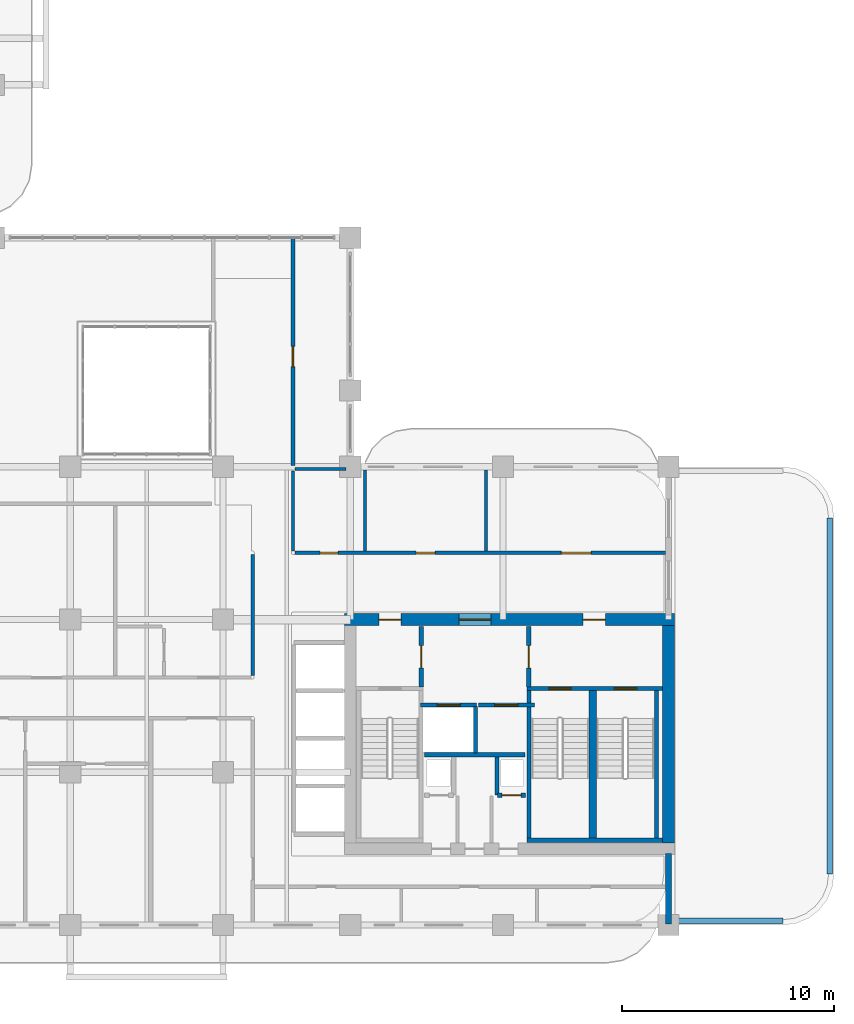
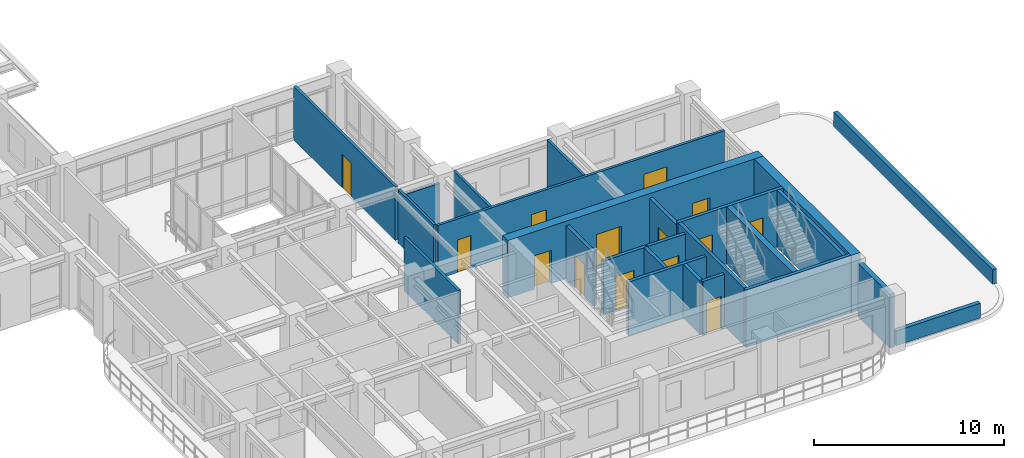
# One storey, part 13 of 20: 25 walls, 14 doors, 14 openings.
"""IFC4 building model written with IfcOpenShell, lengths in metres."""

from ifc_helpers import new_model, si_unit, derived_unit, direction, frame, frame_2d, origin, place, context, subcontext, project, spatial, rectangle, extrude, source, transform, mapped, material, layer, layer_set, type_object, type_shapes, element, fill, save


model = new_model("IFC4")

# Units and contexts
model_context = context("Model", 3, precision=1e-05, world=origin(), true_north=direction((0.0, 1.0)))
body_context = subcontext(model_context, "Body", "Model", "MODEL_VIEW")
ifc_project = project(units=[si_unit("LENGTHUNIT", "METRE"), si_unit("AREAUNIT", "SQUARE_METRE"), si_unit("VOLUMEUNIT", "CUBIC_METRE"), si_unit("PLANEANGLEUNIT", "RADIAN"), si_unit("MASSUNIT", "GRAM", prefix="KILO"), si_unit("THERMODYNAMICTEMPERATUREUNIT", "KELVIN"), si_unit("POWERUNIT", "WATT"), derived_unit("THERMALTRANSMITTANCEUNIT", [(si_unit("POWERUNIT", "WATT"), 1), (si_unit("AREAUNIT", "SQUARE_METRE"), -1), (si_unit("THERMODYNAMICTEMPERATUREUNIT", "KELVIN"), -1)])], contexts=[model_context])

# Site, building, storey
site_placement = place(None, origin())
site = spatial("IfcSite", under=ifc_project, at=site_placement, CompositionType="ELEMENT")
building_placement = place(site_placement, origin())
building = spatial("IfcBuilding", under=site, at=building_placement, Name="Zahravan Archway Hotel and Residences", CompositionType="ELEMENT")
storey_placement = place(building_placement, frame((0.0, 0.0, 111.800048828125)))
storey = spatial("IfcBuildingStorey", under=building, at=storey_placement, Name="L27", CompositionType="ELEMENT", Elevation=111.800048828125)

# Wall, openings, doors
ifc_material_1 = material(Name="Concrete C70/85", Category="concrete")
ifc_layer_1 = layer(ifc_material_1, 0.550048828125, Name="Concrete C70/85", Category="concrete")
ifc_layer_set_1 = layer_set([ifc_layer_1], Name="Concrete C70/85")
wall_type_1 = type_object("IfcWallType", Name="CW-CORE-550", PredefinedType="SHEAR", material=ifc_layer_set_1)
wall_1_placement = place(storey_placement, frame((34.52490234375, 14.39990234375, 0.0), z_axis=(0.0, 0.0, 1.0), x_axis=(1.0, 0.0, 0.0)))
wall_1 = element("IfcWall", 1, at=wall_1_placement, inside=storey, type_object=wall_type_1, Name="L27 Core A Shear N Wall 550 mm", PredefinedType="SHEAR", context=body_context, shape_type="SweptSolid", body=[
    extrude(rectangle(XDim=15.550048828125, YDim=0.550048828125, at=frame_2d((7.77490234375, 0.0))), origin(), (0.0, 0.0, 1.0), 3.699951171875),
])
opening_1_placement = place(wall_1_placement, frame((5.405029296875, 0.0, 0.0)))
opening_1 = element("IfcOpeningElement", 2, at=opening_1_placement, cuts=wall_1, Name="Opening FD-L1", PredefinedType="OPENING", context=body_context, shape_type="SweptSolid", body=[
    extrude(rectangle(XDim=1.5, YDim=2.199951171875, at=frame_2d((0.75, 1.10009765625))), frame((0.0, 0.28515625, 0.0), z_axis=(0.0, -1.0, 0.0), x_axis=(1.0, 0.0, 0.0)), (0.0, 0.0, 1.0), 0.570068359375),
])
opening_2_placement = place(wall_1_placement, frame((1.6201171875, 0.0, 0.0)))
opening_2 = element("IfcOpeningElement", 3, at=opening_2_placement, cuts=wall_1, Name="Opening FD-L2", PredefinedType="OPENING", context=body_context, shape_type="SweptSolid", body=[
    extrude(rectangle(XDim=1.050048828125, YDim=2.14990234375, at=frame_2d((0.52490234375, 1.074951171875))), frame((0.0, 0.28515625, 0.0), z_axis=(0.0, -1.0, 0.0), x_axis=(1.0, 0.0, 0.0)), (0.0, 0.0, 1.0), 0.570068359375),
])
opening_3_placement = place(wall_1_placement, frame((11.25, 0.0, 0.0)))
opening_3 = element("IfcOpeningElement", 4, at=opening_3_placement, cuts=wall_1, Name="Opening FD-L2", PredefinedType="OPENING", context=body_context, shape_type="SweptSolid", body=[
    extrude(rectangle(XDim=1.050048828125, YDim=2.14990234375, at=frame_2d((0.52490234375, 1.074951171875))), frame((0.0, 0.28515625, 0.0), z_axis=(0.0, -1.0, 0.0), x_axis=(1.0, 0.0, 0.0)), (0.0, 0.0, 1.0), 0.570068359375),
])
ifc_material_2 = material(Name="Fire-Rated Painted Steel", Category="steel")
door_type_1 = type_object("IfcDoorType", Name="FD-LOBBY-1100", OperationType="NOTDEFINED", PredefinedType="DOOR", material=ifc_material_2)
shared_shape_1 = source(origin(), body_context, "Body", "SweptSolid", [
    extrude(rectangle(XDim=1.050048828125, YDim=2.14990234375, at=frame_2d((0.52490234375, 1.074951171875))), frame((0.0, 0.02490234375, 0.0), z_axis=(0.0, -1.0, 0.0), x_axis=(1.0, 0.0, 0.0)), (0.0, 0.0, 1.0), 0.050048828125),
])
type_shapes(door_type_1, [shared_shape_1])
door_1_placement = place(opening_2_placement, origin())
door_1 = element("IfcDoor", 5, at=door_1_placement, inside=storey, type_object=door_type_1, Name="L27 Core A West Stair Lobby Door", OperationType="SINGLE_SWING_LEFT", OverallHeight=2.14990234375, OverallWidth=1.050048828125, PredefinedType="DOOR", context=body_context, shape_type="MappedRepresentation", body=[
    mapped(shared_shape_1, transform((0.0, 0.0, 0.0), scale=1.0)),
])
fill(opening_2, door_1)
door_2_placement = place(opening_3_placement, origin())
door_2 = element("IfcDoor", 6, at=door_2_placement, inside=storey, type_object=door_type_1, Name="L27 Core A East Stair Lobby Door", OperationType="SINGLE_SWING_RIGHT", OverallHeight=2.14990234375, OverallWidth=1.050048828125, PredefinedType="DOOR", context=body_context, shape_type="MappedRepresentation", body=[
    mapped(shared_shape_1, transform((0.0, 0.0, 0.0), scale=1.0)),
])
fill(opening_3, door_2)
door_type_2 = type_object("IfcDoorType", Name="FD-LOBBY-1500", OperationType="DOUBLE_DOOR_SINGLE_SWING", PredefinedType="DOOR", material=ifc_material_2)
shared_shape_2 = source(origin(), body_context, "Body", "SweptSolid", [
    extrude(rectangle(XDim=1.5, YDim=2.199951171875, at=frame_2d((0.75, 1.10009765625))), frame((0.0, 0.02490234375, 0.0), z_axis=(0.0, -1.0, 0.0), x_axis=(1.0, 0.0, 0.0)), (0.0, 0.0, 1.0), 0.050048828125),
])
type_shapes(door_type_2, [shared_shape_2])
door_3_placement = place(opening_1_placement, origin())
door_3 = element("IfcDoor", 7, at=door_3_placement, inside=storey, type_object=door_type_2, Name="L27 Core A FSAE Lobby Main Door", OperationType="DOUBLE_DOOR_SINGLE_SWING", OverallHeight=2.199951171875, OverallWidth=1.5, PredefinedType="DOOR", context=body_context, shape_type="MappedRepresentation", body=[
    mapped(shared_shape_2, transform((0.0, 0.0, 0.0), scale=1.0)),
])
fill(opening_1, door_3)

# Walls
wall_2_placement = place(storey_placement, frame((49.800048828125, 3.875, 0.0), z_axis=(0.0, 0.0, 1.0), x_axis=(0.0, 1.0, 0.0)))
element("IfcWall", 8, at=wall_2_placement, inside=storey, type_object=wall_type_1, Name="L27 Core A Shear E Wall 550 mm", PredefinedType="SHEAR", context=body_context, shape_type="SweptSolid", body=[
    extrude(rectangle(XDim=10.25, YDim=0.550048828125, at=frame_2d((5.125, 0.0))), origin(), (0.0, 0.0, 1.0), 3.699951171875),
])
ifc_material_3 = material(Name="Honed Red-Ochre Sandstone & Insulated Block", Category="masonry")
ifc_layer_2 = layer(ifc_material_3, 0.280029296875, Name="Honed Red-Ochre Sandstone & Insulated Block", Category="masonry")
ifc_layer_set_2 = layer_set([ifc_layer_2], Name="Honed Red-Ochre Sandstone & Insulated Block")
wall_type_2 = type_object("IfcWallType", Name="EW-LOG-280", PredefinedType="SOLIDWALL", material=ifc_layer_set_2)
wall_3_placement = place(storey_placement, frame((49.800048828125, 0.050048828125, 0.0), z_axis=(0.0, 0.0, 1.0), x_axis=(0.0, 1.0, 0.0)))
element("IfcWall", 9, at=wall_3_placement, inside=storey, type_object=wall_type_2, Name="L27 Exterior Sandstone Wall WA-ES", PredefinedType="SOLIDWALL", context=body_context, shape_type="SweptSolid", body=[
    extrude(rectangle(XDim=3.329833984375, YDim=0.280029296875, at=frame_2d((1.6650390625, 0.0))), origin(), (0.0, 0.0, 1.0), 3.449951171875),
])
ifc_material_4 = material(Name="Agra Buff Sandstone Coping Wall", Category="masonry")
ifc_layer_3 = layer(ifc_material_4, 0.25, Name="Agra Buff Sandstone Coping Wall", Category="masonry")
ifc_layer_set_3 = layer_set([ifc_layer_3], Name="Agra Buff Sandstone Coping Wall")
wall_type_3 = type_object("IfcWallType", Name="EW-PARA-250", PredefinedType="PARAPET", material=ifc_layer_set_3)
wall_4_placement = place(storey_placement, frame((57.39990234375, 19.18701171875, 0.0), z_axis=(0.0, 0.0, 1.0), x_axis=(0.0, -1.0, 0.0)))
element("IfcWall", 10, at=wall_4_placement, inside=storey, type_object=wall_type_3, Name="L27 Roof Coping Parapet 1", PredefinedType="PARAPET", context=body_context, shape_type="SweptSolid", body=[
    extrude(rectangle(XDim=16.77392578125, YDim=0.25, at=frame_2d((8.386962890625, 0.0))), origin(), (0.0, 0.0, 1.0), 0.949951171875),
])
wall_5_placement = place(storey_placement, frame((55.18701171875, 0.199951171875, 0.0), z_axis=(0.0, 0.0, 1.0), x_axis=(-1.0, 0.0, 0.0)))
element("IfcWall", 11, at=wall_5_placement, inside=storey, type_object=wall_type_3, Name="L27 Roof Coping Parapet 2", PredefinedType="PARAPET", context=body_context, shape_type="SweptSolid", body=[
    extrude(rectangle(XDim=5.126953125, YDim=0.25, at=frame_2d((2.5634765625, 0.0))), origin(), (0.0, 0.0, 1.0), 0.949951171875),
])

# Wall, opening, door
ifc_material_5 = material(Name="Fire-Rated Gypsum & Concrete Block", Category="concrete")
ifc_layer_4 = layer(ifc_material_5, 0.219970703125, Name="Fire-Rated Gypsum & Concrete Block", Category="concrete")
ifc_layer_set_4 = layer_set([ifc_layer_4], Name="Fire-Rated Gypsum & Concrete Block")
wall_type_4 = type_object("IfcWallType", Name="PW-COMP-220", PredefinedType="PARTITIONING", material=ifc_layer_set_4)
wall_6_placement = place(storey_placement, frame((38.139892578125, 11.219970703125, 0.0), z_axis=(0.0, 0.0, 1.0), x_axis=(0.0, 1.0, 0.0)))
wall_6 = element("IfcWall", 12, at=wall_6_placement, inside=storey, type_object=wall_type_4, Name="L27 Partition CA-LOBW", PredefinedType="PARTITIONING", context=body_context, shape_type="SweptSolid", body=[
    extrude(rectangle(XDim=2.860107421875, YDim=0.219970703125, at=frame_2d((1.43017578125, 0.0))), origin(), (0.0, 0.0, 1.0), 3.449951171875),
])
opening_4_placement = place(wall_6_placement, frame((0.905029296875, 0.0, 0.0)))
opening_4 = element("IfcOpeningElement", 13, at=opening_4_placement, cuts=wall_6, Name="Opening FD-L2", PredefinedType="OPENING", context=body_context, shape_type="SweptSolid", body=[
    extrude(rectangle(XDim=1.050048828125, YDim=2.14990234375, at=frame_2d((0.52490234375, 1.074951171875))), frame((0.0, 0.1201171875, 0.0), z_axis=(0.0, -1.0, 0.0), x_axis=(1.0, 0.0, 0.0)), (0.0, 0.0, 1.0), 0.239990234375),
])
door_4_placement = place(opening_4_placement, origin())
door_4 = element("IfcDoor", 14, at=door_4_placement, inside=storey, type_object=door_type_1, Name="L27 Core A West Stair to FSAE Lobby Door", OperationType="SINGLE_SWING_LEFT", OverallHeight=2.14990234375, OverallWidth=1.050048828125, PredefinedType="DOOR", context=body_context, shape_type="MappedRepresentation", body=[
    mapped(shared_shape_1, transform((0.0, 0.0, 0.0), scale=1.0)),
])
fill(opening_4, door_4)

wall_7_placement = place(storey_placement, frame((43.219970703125, 11.219970703125, 0.0), z_axis=(0.0, 0.0, 1.0), x_axis=(0.0, 1.0, 0.0)))
wall_7 = element("IfcWall", 15, at=wall_7_placement, inside=storey, type_object=wall_type_4, Name="L27 Partition CA-LOBE", PredefinedType="PARTITIONING", context=body_context, shape_type="SweptSolid", body=[
    extrude(rectangle(XDim=2.860107421875, YDim=0.219970703125, at=frame_2d((1.43017578125, 0.0))), origin(), (0.0, 0.0, 1.0), 3.449951171875),
])
opening_5_placement = place(wall_7_placement, frame((0.905029296875, 0.0, 0.0)))
opening_5 = element("IfcOpeningElement", 16, at=opening_5_placement, cuts=wall_7, Name="Opening FD-L2", PredefinedType="OPENING", context=body_context, shape_type="SweptSolid", body=[
    extrude(rectangle(XDim=1.050048828125, YDim=2.14990234375, at=frame_2d((0.52490234375, 1.074951171875))), frame((0.0, 0.1201171875, 0.0), z_axis=(0.0, -1.0, 0.0), x_axis=(1.0, 0.0, 0.0)), (0.0, 0.0, 1.0), 0.239990234375),
])
door_5_placement = place(opening_5_placement, origin())
door_5 = element("IfcDoor", 17, at=door_5_placement, inside=storey, type_object=door_type_1, Name="L27 Core A East Stair to FSAE Lobby Door", OperationType="SINGLE_SWING_RIGHT", OverallHeight=2.14990234375, OverallWidth=1.050048828125, PredefinedType="DOOR", context=body_context, shape_type="MappedRepresentation", body=[
    mapped(shared_shape_1, transform((0.0, 0.0, 0.0), scale=1.0)),
])
fill(opening_5, door_5)

# Wall
ifc_layer_5 = layer(ifc_material_5, 0.159912109375, Name="Fire-Rated Gypsum & Concrete Block", Category="concrete")
ifc_layer_set_5 = layer_set([ifc_layer_5], Name="Fire-Rated Gypsum & Concrete Block")
wall_type_5 = type_object("IfcWallType", Name="PW-CORR-160", PredefinedType="PARTITIONING", material=ifc_layer_set_5)
wall_8_placement = place(storey_placement, frame((30.199951171875, 11.760009765625, 0.0), z_axis=(0.0, 0.0, 1.0), x_axis=(0.0, 1.0, 0.0)))
element("IfcWall", 18, at=wall_8_placement, inside=storey, type_object=wall_type_5, Name="L27 Partition WA-FW", PredefinedType="PARTITIONING", context=body_context, shape_type="SweptSolid", body=[
    extrude(rectangle(XDim=5.699951171875, YDim=0.159912109375, at=frame_2d((2.85009765625, 0.0))), origin(), (0.0, 0.0, 1.0), 3.449951171875),
])

# Wall, openings, doors
wall_9_placement = place(storey_placement, frame((32.18994140625, 17.550048828125, 0.0), z_axis=(0.0, 0.0, 1.0), x_axis=(1.0, 0.0, 0.0)))
wall_9 = element("IfcWall", 19, at=wall_9_placement, inside=storey, type_object=wall_type_5, Name="L27 Partition WA-FN", PredefinedType="PARTITIONING", context=body_context, shape_type="SweptSolid", body=[
    extrude(rectangle(XDim=17.469970703125, YDim=0.159912109375, at=frame_2d((8.73486328125, 0.0))), origin(), (0.0, 0.0, 1.0), 3.449951171875),
])
opening_6_placement = place(wall_9_placement, frame((1.18505859375, 0.0, 0.0)))
opening_6 = element("IfcOpeningElement", 20, at=opening_6_placement, cuts=wall_9, Name="Opening D-B1", PredefinedType="OPENING", context=body_context, shape_type="SweptSolid", body=[
    extrude(rectangle(XDim=0.85009765625, YDim=2.10009765625, at=frame_2d((0.425048828125, 1.050048828125))), frame((0.0, 0.08984375, 0.0), z_axis=(0.0, -1.0, 0.0), x_axis=(1.0, 0.0, 0.0)), (0.0, 0.0, 1.0), 0.179931640625),
])
opening_7_placement = place(wall_9_placement, frame((5.7099609375, 0.0, 0.0)))
opening_7 = element("IfcOpeningElement", 21, at=opening_7_placement, cuts=wall_9, Name="Opening D-I2", PredefinedType="OPENING", context=body_context, shape_type="SweptSolid", body=[
    extrude(rectangle(XDim=0.89990234375, YDim=2.14990234375, at=frame_2d((0.449951171875, 1.074951171875))), frame((0.0, 0.08984375, 0.0), z_axis=(0.0, -1.0, 0.0), x_axis=(1.0, 0.0, 0.0)), (0.0, 0.0, 1.0), 0.179931640625),
])
opening_8_placement = place(wall_9_placement, frame((12.56005859375, 0.0, 0.0)))
opening_8 = element("IfcOpeningElement", 22, at=opening_8_placement, cuts=wall_9, Name="Opening D-P1", PredefinedType="OPENING", context=body_context, shape_type="SweptSolid", body=[
    extrude(rectangle(XDim=1.39990234375, YDim=2.35009765625, at=frame_2d((0.699951171875, 1.175048828125))), frame((0.0, 0.08984375, 0.0), z_axis=(0.0, -1.0, 0.0), x_axis=(1.0, 0.0, 0.0)), (0.0, 0.0, 1.0), 0.179931640625),
])
ifc_material_6 = material(Name="Hardwood Veneer Timber", Category="wood")
door_type_3 = type_object("IfcDoorType", Name="ID-BATH-850", OperationType="NOTDEFINED", PredefinedType="DOOR", material=ifc_material_6)
shared_shape_3 = source(origin(), body_context, "Body", "SweptSolid", [
    extrude(rectangle(XDim=0.85009765625, YDim=2.10009765625, at=frame_2d((0.425048828125, 1.050048828125))), frame((0.0, 0.02490234375, 0.0), z_axis=(0.0, -1.0, 0.0), x_axis=(1.0, 0.0, 0.0)), (0.0, 0.0, 1.0), 0.050048828125),
])
type_shapes(door_type_3, [shared_shape_3])
door_6_placement = place(opening_6_placement, origin())
door_6 = element("IfcDoor", 23, at=door_6_placement, inside=storey, type_object=door_type_3, Name="L27 Accessible Floor Restroom Door", OperationType="SINGLE_SWING_LEFT", OverallHeight=2.10009765625, OverallWidth=0.85009765625, PredefinedType="DOOR", context=body_context, shape_type="MappedRepresentation", body=[
    mapped(shared_shape_3, transform((0.0, 0.0, 0.0), scale=1.0)),
])
fill(opening_6, door_6)
ifc_material_7 = material(Name="Bronze-Anodized Glazed Aluminium", Category="aluminium")
door_type_4 = type_object("IfcDoorType", Name="ID-PUBLIC-1400", OperationType="DOUBLE_DOOR_SINGLE_SWING", PredefinedType="DOOR", material=ifc_material_7)
shared_shape_4 = source(origin(), body_context, "Body", "SweptSolid", [
    extrude(rectangle(XDim=1.39990234375, YDim=2.35009765625, at=frame_2d((0.699951171875, 1.175048828125))), frame((0.0, 0.02490234375, 0.0), z_axis=(0.0, -1.0, 0.0), x_axis=(1.0, 0.0, 0.0)), (0.0, 0.0, 1.0), 0.050048828125),
])
type_shapes(door_type_4, [shared_shape_4])
door_7_placement = place(opening_8_placement, origin())
door_7 = element("IfcDoor", 24, at=door_7_placement, inside=storey, type_object=door_type_4, Name="L27 Co-Working Room Door", OperationType="DOUBLE_DOOR_SINGLE_SWING", OverallHeight=2.35009765625, OverallWidth=1.39990234375, PredefinedType="DOOR", context=body_context, shape_type="MappedRepresentation", body=[
    mapped(shared_shape_4, transform((0.0, 0.0, 0.0), scale=1.0)),
])
fill(opening_8, door_7)
door_type_5 = type_object("IfcDoorType", Name="ID-INT-900", OperationType="NOTDEFINED", PredefinedType="DOOR", material=ifc_material_6)
shared_shape_5 = source(origin(), body_context, "Body", "SweptSolid", [
    extrude(rectangle(XDim=0.89990234375, YDim=2.14990234375, at=frame_2d((0.449951171875, 1.074951171875))), frame((0.0, 0.02490234375, 0.0), z_axis=(0.0, -1.0, 0.0), x_axis=(1.0, 0.0, 0.0)), (0.0, 0.0, 1.0), 0.050048828125),
])
type_shapes(door_type_5, [shared_shape_5])
door_8_placement = place(opening_7_placement, origin())
door_8 = element("IfcDoor", 25, at=door_8_placement, inside=storey, type_object=door_type_5, Name="L27 Tea Servery Door", OperationType="SINGLE_SWING_RIGHT", OverallHeight=2.14990234375, OverallWidth=0.89990234375, PredefinedType="DOOR", context=body_context, shape_type="MappedRepresentation", body=[
    mapped(shared_shape_5, transform((0.0, 0.0, 0.0), scale=1.0)),
])
fill(opening_7, door_8)

# Walls
ifc_layer_6 = layer(ifc_material_5, 0.199951171875, Name="Fire-Rated Gypsum & Concrete Block", Category="concrete")
ifc_layer_set_6 = layer_set([ifc_layer_6], Name="Fire-Rated Gypsum & Concrete Block")
wall_type_6 = type_object("IfcWallType", Name="PW-SHAFT-200", PredefinedType="PARTITIONING", material=ifc_layer_set_6)
wall_10_placement = place(storey_placement, frame((38.300048828125, 8.030029296875, 0.0), z_axis=(0.0, 0.0, 1.0), x_axis=(1.0, 0.0, 0.0)))
element("IfcWall", 26, at=wall_10_placement, inside=storey, type_object=wall_type_6, Name="L27 Partition CA-FLS", PredefinedType="PARTITIONING", context=body_context, shape_type="SweptSolid", body=[
    extrude(rectangle(XDim=4.739990234375, YDim=0.199951171875, at=frame_2d((2.3701171875, 0.0))), origin(), (0.0, 0.0, 1.0), 3.449951171875),
])
wall_11_placement = place(storey_placement, frame((40.699951171875, 8.1201171875, 0.0), z_axis=(0.0, 0.0, 1.0), x_axis=(0.0, 1.0, 0.0)))
element("IfcWall", 27, at=wall_11_placement, inside=storey, type_object=wall_type_6, Name="L27 Partition CA-FLM", PredefinedType="PARTITIONING", context=body_context, shape_type="SweptSolid", body=[
    extrude(rectangle(XDim=2.179931640625, YDim=0.199951171875, at=frame_2d((1.08984375, 0.0))), origin(), (0.0, 0.0, 1.0), 3.449951171875),
])

# Wall, opening, door
wall_12_placement = place(storey_placement, frame((41.72998046875, 6.1201171875, 0.0), z_axis=(0.0, 0.0, 1.0), x_axis=(1.0, 0.0, 0.0)))
wall_12 = element("IfcWall", 28, at=wall_12_placement, inside=storey, type_object=wall_type_6, Name="L27 Partition CA-MEPS", PredefinedType="PARTITIONING", context=body_context, shape_type="SweptSolid", body=[
    extrude(rectangle(XDim=1.320068359375, YDim=0.199951171875, at=frame_2d((0.66015625, 0.0))), origin(), (0.0, 0.0, 1.0), 3.449951171875),
])
opening_9_placement = place(wall_12_placement, frame((0.219970703125, 0.0, 0.0)))
opening_9 = element("IfcOpeningElement", 29, at=opening_9_placement, cuts=wall_12, Name="Opening FD-R1", PredefinedType="OPENING", context=body_context, shape_type="SweptSolid", body=[
    extrude(rectangle(XDim=0.89990234375, YDim=2.10009765625, at=frame_2d((0.449951171875, 1.050048828125))), frame((0.0, 0.10986328125, 0.0), z_axis=(0.0, -1.0, 0.0), x_axis=(1.0, 0.0, 0.0)), (0.0, 0.0, 1.0), 0.219970703125),
])
door_type_6 = type_object("IfcDoorType", Name="FD-RISER-900", OperationType="NOTDEFINED", PredefinedType="DOOR", material=ifc_material_2)
shared_shape_6 = source(origin(), body_context, "Body", "SweptSolid", [
    extrude(rectangle(XDim=0.89990234375, YDim=2.10009765625, at=frame_2d((0.449951171875, 1.050048828125))), frame((0.0, 0.02490234375, 0.0), z_axis=(0.0, -1.0, 0.0), x_axis=(1.0, 0.0, 0.0)), (0.0, 0.0, 1.0), 0.050048828125),
])
type_shapes(door_type_6, [shared_shape_6])
door_9_placement = place(opening_9_placement, origin())
door_9 = element("IfcDoor", 30, at=door_9_placement, inside=storey, type_object=door_type_6, Name="L27 MEP Riser Access Door", OperationType="SINGLE_SWING_RIGHT", OverallHeight=2.10009765625, OverallWidth=0.89990234375, PredefinedType="DOOR", context=body_context, shape_type="MappedRepresentation", body=[
    mapped(shared_shape_6, transform((0.0, 0.0, 0.0), scale=1.0)),
])
fill(opening_9, door_9)

# Wall
wall_13_placement = place(storey_placement, frame((41.719970703125, 6.1298828125, 0.0), z_axis=(0.0, 0.0, 1.0), x_axis=(0.0, 1.0, 0.0)))
element("IfcWall", 31, at=wall_13_placement, inside=storey, type_object=wall_type_6, Name="L27 Partition CA-MEPW", PredefinedType="PARTITIONING", context=body_context, shape_type="SweptSolid", body=[
    extrude(rectangle(XDim=1.7900390625, YDim=0.199951171875, at=frame_2d((0.89501953125, 0.0))), origin(), (0.0, 0.0, 1.0), 3.449951171875),
])

# Wall, opening, door
wall_14_placement = place(storey_placement, frame((38.1201171875, 10.3701171875, 0.0), z_axis=(0.0, 0.0, 1.0), x_axis=(1.0, 0.0, 0.0)))
wall_14 = element("IfcWall", 32, at=wall_14_placement, inside=storey, type_object=wall_type_6, Name="L27 Lift FL-1 Front Wall", PredefinedType="PARTITIONING", context=body_context, shape_type="SweptSolid", body=[
    extrude(rectangle(XDim=2.639892578125, YDim=0.199951171875, at=frame_2d((1.31982421875, 0.0))), origin(), (0.0, 0.0, 1.0), 3.449951171875),
])
opening_10_placement = place(wall_14_placement, frame((0.77001953125, 0.0, 0.0)))
opening_10 = element("IfcOpeningElement", 33, at=opening_10_placement, cuts=wall_14, Name="Opening LD", PredefinedType="OPENING", context=body_context, shape_type="SweptSolid", body=[
    extrude(rectangle(XDim=1.10009765625, YDim=2.199951171875, at=frame_2d((0.550048828125, 1.10009765625))), frame((0.0, 0.10986328125, 0.0), z_axis=(0.0, -1.0, 0.0), x_axis=(1.0, 0.0, 0.0)), (0.0, 0.0, 1.0), 0.219970703125),
])
ifc_material_8 = material(Name="Brushed Stainless Steel", Category="steel")
door_type_7 = type_object("IfcDoorType", Name="DR-LIFT-LD", OperationType="SLIDING_TO_LEFT", PredefinedType="DOOR", material=ifc_material_8)
shared_shape_7 = source(origin(), body_context, "Body", "SweptSolid", [
    extrude(rectangle(XDim=1.10009765625, YDim=2.199951171875, at=frame_2d((0.550048828125, 1.10009765625))), frame((0.0, 0.02490234375, 0.0), z_axis=(0.0, -1.0, 0.0), x_axis=(1.0, 0.0, 0.0)), (0.0, 0.0, 1.0), 0.050048828125),
])
type_shapes(door_type_7, [shared_shape_7])
door_10_placement = place(opening_10_placement, origin())
door_10 = element("IfcDoor", 34, at=door_10_placement, inside=storey, type_object=door_type_7, Name="L27 Lift FL-1 Sliding Landing Door", OperationType="SLIDING_TO_LEFT", OverallHeight=2.199951171875, OverallWidth=1.10009765625, PredefinedType="DOOR", context=body_context, shape_type="MappedRepresentation", body=[
    mapped(shared_shape_7, transform((0.0, 0.0, 0.0), scale=1.0)),
])
fill(opening_10, door_10)

wall_15_placement = place(storey_placement, frame((40.840087890625, 10.3701171875, 0.0), z_axis=(0.0, 0.0, 1.0), x_axis=(1.0, 0.0, 0.0)))
wall_15 = element("IfcWall", 35, at=wall_15_placement, inside=storey, type_object=wall_type_6, Name="L27 Lift FL-2 Front Wall", PredefinedType="PARTITIONING", context=body_context, shape_type="SweptSolid", body=[
    extrude(rectangle(XDim=2.639892578125, YDim=0.199951171875, at=frame_2d((1.31982421875, 0.0))), origin(), (0.0, 0.0, 1.0), 3.449951171875),
])
opening_11_placement = place(wall_15_placement, frame((0.77001953125, 0.0, 0.0)))
opening_11 = element("IfcOpeningElement", 36, at=opening_11_placement, cuts=wall_15, Name="Opening LD", PredefinedType="OPENING", context=body_context, shape_type="SweptSolid", body=[
    extrude(rectangle(XDim=1.10009765625, YDim=2.199951171875, at=frame_2d((0.550048828125, 1.10009765625))), frame((0.0, 0.10986328125, 0.0), z_axis=(0.0, -1.0, 0.0), x_axis=(1.0, 0.0, 0.0)), (0.0, 0.0, 1.0), 0.219970703125),
])
door_11_placement = place(opening_11_placement, origin())
door_11 = element("IfcDoor", 37, at=door_11_placement, inside=storey, type_object=door_type_7, Name="L27 Lift FL-2 Sliding Landing Door", OperationType="SLIDING_TO_LEFT", OverallHeight=2.199951171875, OverallWidth=1.10009765625, PredefinedType="DOOR", context=body_context, shape_type="MappedRepresentation", body=[
    mapped(shared_shape_7, transform((0.0, 0.0, 0.0), scale=1.0)),
])
fill(opening_11, door_11)

ifc_material_9 = material(Name="Acoustic Stud Partition")
ifc_layer_7 = layer(ifc_material_9, 0.169921875, Name="Acoustic Stud Partition")
ifc_layer_set_7 = layer_set([ifc_layer_7], Name="Acoustic Stud Partition")
wall_type_7 = type_object("IfcWallType", Name="PW-UNIT-170", PredefinedType="PARTITIONING", material=ifc_layer_set_7)
wall_16_placement = place(storey_placement, frame((32.10009765625, 21.669921875, 0.0), z_axis=(0.0, 0.0, 1.0), x_axis=(0.0, 1.0, 0.0)))
wall_16 = element("IfcWall", 38, at=wall_16_placement, inside=storey, type_object=wall_type_7, Name="L27 Partition ATR-E", PredefinedType="PARTITIONING", context=body_context, shape_type="SweptSolid", body=[
    extrude(rectangle(XDim=10.7021484375, YDim=0.169921875, at=frame_2d((5.35107421875, 0.0))), origin(), (0.0, 0.0, 1.0), 3.449951171875),
])
opening_12_placement = place(wall_16_placement, frame((4.655029296875, 0.0, 0.0)))
opening_12 = element("IfcOpeningElement", 39, at=opening_12_placement, cuts=wall_16, Name="Opening D-I1", PredefinedType="OPENING", context=body_context, shape_type="SweptSolid", body=[
    extrude(rectangle(XDim=0.949951171875, YDim=2.14990234375, at=frame_2d((0.47509765625, 1.074951171875))), frame((0.0, 0.094970703125, 0.0), z_axis=(0.0, -1.0, 0.0), x_axis=(1.0, 0.0, 0.0)), (0.0, 0.0, 1.0), 0.18994140625),
])
door_type_8 = type_object("IfcDoorType", Name="ID-INT-950", OperationType="NOTDEFINED", PredefinedType="DOOR", material=ifc_material_6)
shared_shape_8 = source(origin(), body_context, "Body", "SweptSolid", [
    extrude(rectangle(XDim=0.949951171875, YDim=2.14990234375, at=frame_2d((0.47509765625, 1.074951171875))), frame((0.0, 0.02490234375, 0.0), z_axis=(0.0, -1.0, 0.0), x_axis=(1.0, 0.0, 0.0)), (0.0, 0.0, 1.0), 0.050048828125),
])
type_shapes(door_type_8, [shared_shape_8])
door_12_placement = place(opening_12_placement, origin())
door_12 = element("IfcDoor", 40, at=door_12_placement, inside=storey, type_object=door_type_8, Name="L27 Atrium Conservatory Door", OperationType="SINGLE_SWING_RIGHT", OverallHeight=2.14990234375, OverallWidth=0.949951171875, PredefinedType="DOOR", context=body_context, shape_type="MappedRepresentation", body=[
    mapped(shared_shape_8, transform((0.0, 0.0, 0.0), scale=1.0)),
])
fill(opening_12, door_12)

# Walls
ifc_material_10 = material(Name="Moisture-Resistant Blockwork", Category="masonry")
ifc_layer_8 = layer(ifc_material_10, 0.139892578125, Name="Moisture-Resistant Blockwork", Category="masonry")
ifc_layer_set_8 = layer_set([ifc_layer_8], Name="Moisture-Resistant Blockwork")
wall_type_8 = type_object("IfcWallType", Name="PW-WET-140", PredefinedType="PARTITIONING", material=ifc_layer_set_8)
wall_17_placement = place(storey_placement, frame((32.10009765625, 17.639892578125, 0.0), z_axis=(0.0, 0.0, 1.0), x_axis=(0.0, 1.0, 0.0)))
element("IfcWall", 41, at=wall_17_placement, inside=storey, type_object=wall_type_8, Name="L27 Partition NE-W0", PredefinedType="PARTITIONING", context=body_context, shape_type="SweptSolid", body=[
    extrude(rectangle(XDim=3.77001953125, YDim=0.139892578125, at=frame_2d((1.885009765625, 0.0))), origin(), (0.0, 0.0, 1.0), 3.449951171875),
])
for number, where, z_axis, x_axis, name in (
    (42, (35.5, 17.639892578125, 0.0), (0.0, 0.0, 1.0), (0.0, 1.0, 0.0), "L27 Partition NE0-1"),
    (43, (41.199951171875, 17.639892578125, 0.0), (0.0, 0.0, 1.0), (0.0, 1.0, 0.0), "L27 Partition NE0-2"),
):
    element("IfcWall", number, at=place(storey_placement, frame(where, z_axis=z_axis, x_axis=x_axis)), inside=storey, type_object=wall_type_8, Name=name, PredefinedType="PARTITIONING", context=body_context, shape_type="SweptSolid", body=[
        extrude(rectangle(XDim=3.81201171875, YDim=0.139892578125, at=frame_2d((1.906005859375, 0.0))), origin(), (0.0, 0.0, 1.0), 3.449951171875),
    ])
wall_18_placement = place(storey_placement, frame((32.18994140625, 21.5, 0.0), z_axis=(0.0, 0.0, 1.0), x_axis=(1.0, 0.0, 0.0)))
element("IfcWall", 44, at=wall_18_placement, inside=storey, type_object=wall_type_8, Name="L27 Partition ATR-ES", PredefinedType="PARTITIONING", context=body_context, shape_type="SweptSolid", body=[
    extrude(rectangle(XDim=2.420166015625, YDim=0.139892578125, at=frame_2d((1.2099609375, 0.0))), origin(), (0.0, 0.0, 1.0), 2.93505859375),
])
ifc_material_11 = material(Name="Concrete C50/60", Category="concrete")
ifc_layer_9 = layer(ifc_material_11, 0.199951171875, Name="Concrete C50/60", Category="concrete")
ifc_layer_set_9 = layer_set([ifc_layer_9], Name="Concrete C50/60")
wall_type_9 = type_object("IfcWallType", Name="SW-STAIR-200", PredefinedType="SHEAR", material=ifc_layer_set_9)
wall_19_placement = place(storey_placement, frame((43.1201171875, 4.0, 0.0), z_axis=(0.0, 0.0, 1.0), x_axis=(1.0, 0.0, 0.0)))
element("IfcWall", 45, at=wall_19_placement, inside=storey, type_object=wall_type_9, Name="L27 Stairwell RC Wall CA-SA23S", PredefinedType="SHEAR", context=body_context, shape_type="SweptSolid", body=[
    extrude(rectangle(XDim=6.40478515625, YDim=0.199951171875, at=frame_2d((3.202392578125, 0.0))), origin(), (0.0, 0.0, 1.0), 3.699951171875),
])
for number, where, z_axis, x_axis, name in (
    (46, (43.219970703125, 4.10009765625, 0.0), (0.0, 0.0, 1.0), (0.0, 1.0, 0.0), "L27 Stairwell RC Wall CA-SA2W"),
    (47, (49.239990234375, 4.10009765625, 0.0), (0.0, 0.0, 1.0), (0.0, 1.0, 0.0), "L27 Stairwell RC Wall CA-SA3E"),
):
    element("IfcWall", number, at=place(storey_placement, frame(where, z_axis=z_axis, x_axis=x_axis)), inside=storey, type_object=wall_type_9, Name=name, PredefinedType="SHEAR", context=body_context, shape_type="SweptSolid", body=[
        extrude(rectangle(XDim=6.949951171875, YDim=0.199951171875, at=frame_2d((3.47509765625, 0.0))), origin(), (0.0, 0.0, 1.0), 3.699951171875),
    ])

# Wall, openings, doors
wall_20_placement = place(storey_placement, frame((43.1201171875, 11.14990234375, 0.0), z_axis=(0.0, 0.0, 1.0), x_axis=(1.0, 0.0, 0.0)))
wall_20 = element("IfcWall", 48, at=wall_20_placement, inside=storey, type_object=wall_type_9, Name="L27 Stairwell RC Wall CA-SA23N", PredefinedType="SHEAR", context=body_context, shape_type="SweptSolid", body=[
    extrude(rectangle(XDim=6.40478515625, YDim=0.199951171875, at=frame_2d((3.202392578125, 0.0))), origin(), (0.0, 0.0, 1.0), 3.699951171875),
])
opening_13_placement = place(wall_20_placement, frame((1.044921875, 0.0, 0.0)))
opening_13 = element("IfcOpeningElement", 49, at=opening_13_placement, cuts=wall_20, Name="Opening FD-S1", PredefinedType="OPENING", context=body_context, shape_type="SweptSolid", body=[
    extrude(rectangle(XDim=1.050048828125, YDim=2.199951171875, at=frame_2d((0.52490234375, 1.10009765625))), frame((0.0, 0.10986328125, 0.0), z_axis=(0.0, -1.0, 0.0), x_axis=(1.0, 0.0, 0.0)), (0.0, 0.0, 1.0), 0.219970703125),
])
opening_14_placement = place(wall_20_placement, frame((4.125, 0.0, 0.0)))
opening_14 = element("IfcOpeningElement", 50, at=opening_14_placement, cuts=wall_20, Name="Opening FD-S1", PredefinedType="OPENING", context=body_context, shape_type="SweptSolid", body=[
    extrude(rectangle(XDim=1.050048828125, YDim=2.199951171875, at=frame_2d((0.52490234375, 1.10009765625))), frame((0.0, 0.10986328125, 0.0), z_axis=(0.0, -1.0, 0.0), x_axis=(1.0, 0.0, 0.0)), (0.0, 0.0, 1.0), 0.219970703125),
])
door_type_9 = type_object("IfcDoorType", Name="FD-STAIR-1100", OperationType="NOTDEFINED", PredefinedType="DOOR", material=ifc_material_2)
shared_shape_9 = source(origin(), body_context, "Body", "SweptSolid", [
    extrude(rectangle(XDim=1.050048828125, YDim=2.199951171875, at=frame_2d((0.52490234375, 1.10009765625))), frame((0.0, 0.02490234375, 0.0), z_axis=(0.0, -1.0, 0.0), x_axis=(1.0, 0.0, 0.0)), (0.0, 0.0, 1.0), 0.050048828125),
])
type_shapes(door_type_9, [shared_shape_9])
door_13_placement = place(opening_13_placement, origin())
door_13 = element("IfcDoor", 51, at=door_13_placement, inside=storey, type_object=door_type_9, Name="L27 Stair ST-A2 Door", OperationType="SINGLE_SWING_LEFT", OverallHeight=2.199951171875, OverallWidth=1.050048828125, PredefinedType="DOOR", context=body_context, shape_type="MappedRepresentation", body=[
    mapped(shared_shape_9, transform((0.0, 0.0, 0.0), scale=1.0)),
])
fill(opening_13, door_13)
door_14_placement = place(opening_14_placement, origin())
door_14 = element("IfcDoor", 52, at=door_14_placement, inside=storey, type_object=door_type_9, Name="L27 Stair ST-A3 Door", OperationType="SINGLE_SWING_RIGHT", OverallHeight=2.199951171875, OverallWidth=1.050048828125, PredefinedType="DOOR", context=body_context, shape_type="MappedRepresentation", body=[
    mapped(shared_shape_9, transform((0.0, 0.0, 0.0), scale=1.0)),
])
fill(opening_14, door_14)

# Wall
ifc_layer_10 = layer(ifc_material_11, 0.340087890625, Name="Concrete C50/60", Category="concrete")
ifc_layer_set_10 = layer_set([ifc_layer_10], Name="Concrete C50/60")
wall_type_10 = type_object("IfcWallType", Name="SW-STAIR-340", PredefinedType="SHEAR", material=ifc_layer_set_10)
wall_21_placement = place(storey_placement, frame((46.22998046875, 4.10009765625, 0.0), z_axis=(0.0, 0.0, 1.0), x_axis=(0.0, 1.0, 0.0)))
element("IfcWall", 53, at=wall_21_placement, inside=storey, type_object=wall_type_10, Name="L27 Stairwell RC Wall CA-SA23M", PredefinedType="SHEAR", context=body_context, shape_type="SweptSolid", body=[
    extrude(rectangle(XDim=6.949951171875, YDim=0.340087890625, at=frame_2d((3.47509765625, 0.0))), origin(), (0.0, 0.0, 1.0), 3.699951171875),
])

save(model, "model.ifc")
